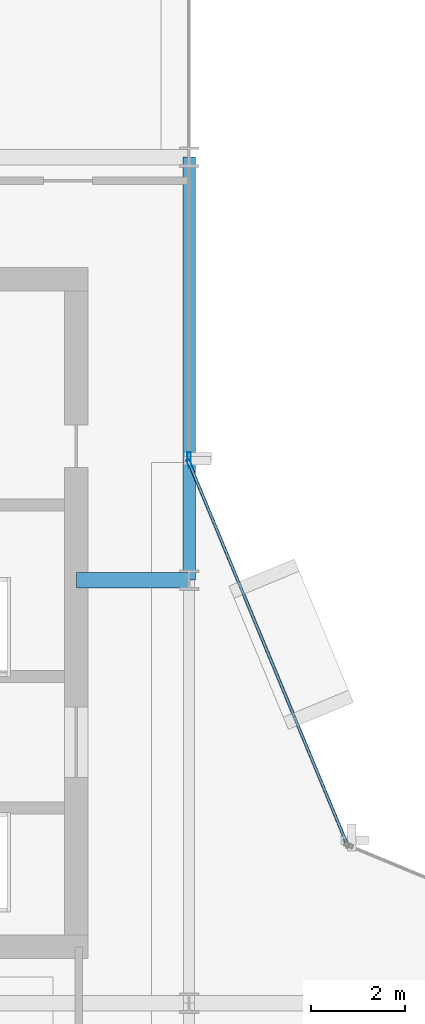
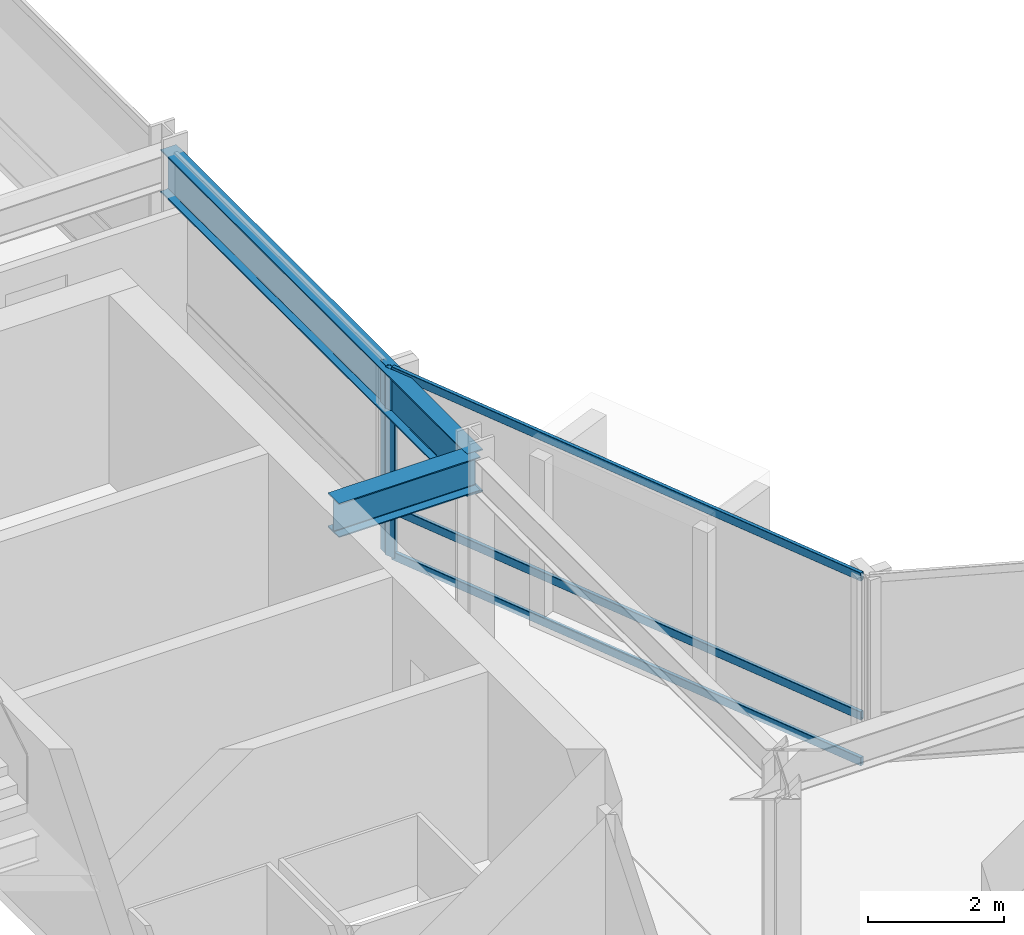
# One storey, part 17 of 29: 5 members, 2 beams, 2 elements without a shape of their own.
"""IFC4 building model written with IfcOpenShell, lengths in metres."""

from ifc_helpers import new_model, si_unit, direction, frame, origin, origin_2d, place, context, subcontext, project, spatial, hollow_rectangle, i_section, extrude, material, layer, layer_set, material_profile, profile_set, type_object, element, aggregate, save


model = new_model("IFC4")

# Units and contexts
model_context = context("Model", 3, precision=1e-05, world=origin(), true_north=direction((0.0, 1.0)))
body_context = subcontext(model_context, "Body", "Model", "MODEL_VIEW")
ifc_project = project(units=[si_unit("LENGTHUNIT", "METRE"), si_unit("AREAUNIT", "SQUARE_METRE"), si_unit("VOLUMEUNIT", "CUBIC_METRE"), si_unit("PLANEANGLEUNIT", "RADIAN"), si_unit("MASSUNIT", "GRAM", prefix="KILO")], contexts=[model_context])

# Site, building, storey
site_placement = place(None, origin())
site = spatial("IfcSite", under=ifc_project, at=site_placement, CompositionType="ELEMENT")
building_placement = place(site_placement, origin())
building = spatial("IfcBuilding", under=site, at=building_placement, Name="Solvaryn Broadcast Tower", CompositionType="ELEMENT")
storey_placement = place(building_placement, frame((0.0, 0.0, 165.5)))
storey = spatial("IfcBuildingStorey", under=building, at=storey_placement, Name="L41", CompositionType="ELEMENT", Elevation=165.5)

# Beams
ifc_material_1 = material(Name="Steel ASTM A992 Grade 50", Category="steel")
ifc_material_profile_1 = material_profile(ifc_material_1, i_section(OverallWidth=0.323974609375, OverallDepth=0.611083984375, WebThickness=0.0126953125, FlangeThickness=0.01904296875, FilletRadius=0.014892578125, at=origin_2d()))
ifc_profile_set_1 = profile_set([ifc_material_profile_1], Name="Steel ASTM A992 Grade 50")
beam_type_1 = type_object("IfcBeamType", Name="BM-B1-W24X104", PredefinedType="BEAM", material=ifc_profile_set_1)
beam_1_placement = place(storey_placement, frame((24.60009765625, 36.0, 3.064453125), z_axis=(1.0, 0.0, 0.0), x_axis=(0.0, 1.0, 0.0)))
element("IfcBeam", 1, at=beam_1_placement, inside=storey, type_object=beam_type_1, Name="L41 Core Tie Beam CTW2", PredefinedType="BEAM", context=body_context, shape_type="SweptSolid", body=[
    extrude(i_section(OverallWidth=0.323974609375, OverallDepth=0.611083984375, WebThickness=0.0126953125, FlangeThickness=0.01904296875, FilletRadius=0.014892578125, at=origin_2d()), origin(), (0.0, 0.0, 1.0), 2.39990234375),
])
ifc_material_2 = material(Name="Steel ASTM A992 Grade 50", Category="steel")
ifc_material_profile_2 = material_profile(ifc_material_2, i_section(OverallWidth=0.26708984375, OverallDepth=0.76611328125, WebThickness=0.014892578125, FlangeThickness=0.023681640625, FilletRadius=0.01806640625, at=origin_2d()))
ifc_profile_set_2 = profile_set([ifc_material_profile_2], Name="Steel ASTM A992 Grade 50")
beam_type_2 = type_object("IfcBeamType", Name="BM-SP2-W30X124", PredefinedType="USERDEFINED", material=ifc_profile_set_2)
beam_2_placement = place(storey_placement, frame((27.0, 36.0, 2.987060546875), z_axis=(0.0, 1.0, 0.0), x_axis=(-1.0, 0.0, 0.0)))
element("IfcBeam", 2, at=beam_2_placement, inside=storey, type_object=beam_type_2, Name="L41 Spandrel Beam Y (36-45 @ X=27)", ObjectType="SPANDREL", PredefinedType="USERDEFINED", context=body_context, shape_type="SweptSolid", body=[
    extrude(i_section(OverallWidth=0.26708984375, OverallDepth=0.76611328125, WebThickness=0.014892578125, FlangeThickness=0.023681640625, FilletRadius=0.01806640625, at=origin_2d()), origin(), (0.0, 0.0, 1.0), 9.0),
])

# Curtain wall, member
ifc_material_3 = material(Name="Aluminium and Terracotta Unitised Curtain Wall", Category="masonry")
ifc_layer = layer(ifc_material_3, 0.199951171875)
ifc_layer_set = layer_set([ifc_layer], Name="CW-SYS2-LOWMID")
curtain_wall_type = type_object("IfcCurtainWallType", Name="CW-SYS2-LOWMID", PredefinedType="NOTDEFINED", material=ifc_layer_set)
curtain_wall_1_placement = place(storey_placement, origin())
curtain_wall_1 = element("IfcCurtainWall", 3, at=curtain_wall_1_placement, inside=storey, type_object=curtain_wall_type, Name="L41 Curtain Wall IV", PredefinedType="NOTDEFINED")
ifc_material_4 = material(Name="Anodised Aluminium 6063-T6", Category="aluminium")
ifc_material_profile_3 = material_profile(ifc_material_4, hollow_rectangle(XDim=0.074951171875, YDim=0.179931640625, WallThickness=0.00390625, InnerFilletRadius=0.00390625, OuterFilletRadius=0.008056640625, at=origin_2d()))
ifc_profile_set_3 = profile_set([ifc_material_profile_3], Name="Anodised Aluminium 6063-T6")
member_type_1 = type_object("IfcMemberType", Name="CW-MUL-180", PredefinedType="MULLION", material=ifc_profile_set_3)
member_1_placement = place(storey_placement, frame((27.0, 38.6298828125, 0.0), z_axis=(0.0, 0.0, 1.0), x_axis=(1.0, 0.0, 0.0)))
member_1 = element("IfcMember", 4, at=member_1_placement, type_object=member_type_1, Name="CWS2 mullion 2", PredefinedType="MULLION", context=body_context, shape_type="SweptSolid", body=[
    extrude(hollow_rectangle(XDim=0.074951171875, YDim=0.179931640625, WallThickness=0.00390625, InnerFilletRadius=0.00390625, OuterFilletRadius=0.008056640625, at=origin_2d()), origin(), (0.0, 0.0, 1.0), 3.3701171875),
])
aggregate(curtain_wall_1, [member_1])

# Curtain wall, members
curtain_wall_2_placement = place(storey_placement, origin())
curtain_wall_2 = element("IfcCurtainWall", 5, at=curtain_wall_2_placement, inside=storey, type_object=curtain_wall_type, Name="L41 Curtain Wall CN2", PredefinedType="NOTDEFINED")
member_2_placement = place(storey_placement, frame((27.011474609375, 38.47216796875, 0.0), z_axis=(0.0, 0.0, 1.0), x_axis=(-0.923894983957, -0.382646127145, 0.0)))
member_2 = element("IfcMember", 6, at=member_2_placement, type_object=member_type_1, Name="CWS2 mullion 2", PredefinedType="MULLION", context=body_context, shape_type="SweptSolid", body=[
    extrude(hollow_rectangle(XDim=0.074951171875, YDim=0.179931640625, WallThickness=0.00390625, InnerFilletRadius=0.00390625, OuterFilletRadius=0.008056640625, at=origin_2d()), origin(), (0.0, 0.0, 1.0), 3.3701171875),
])
ifc_material_5 = material(Name="Anodised Aluminium 6063-T6", Category="aluminium")
ifc_material_profile_4 = material_profile(ifc_material_5, hollow_rectangle(XDim=0.06494140625, YDim=0.14990234375, WallThickness=0.00390625, InnerFilletRadius=0.00390625, OuterFilletRadius=0.008056640625, at=origin_2d()))
ifc_profile_set_4 = profile_set([ifc_material_profile_4], Name="Anodised Aluminium 6063-T6")
member_type_2 = type_object("IfcMemberType", Name="CW-TRN-150", PredefinedType="USERDEFINED", material=ifc_profile_set_4)
member_3_placement = place(storey_placement, frame((30.344970703125, 30.42333984375, 0.030029296875), z_axis=(-0.382635748975, 0.923899282177, 0.0), x_axis=(-0.923899282177, -0.382635748975, 0.0)))
member_3 = element("IfcMember", 7, at=member_3_placement, type_object=member_type_2, Name="CWS2 transom 1.1", ObjectType="TRANSOM", PredefinedType="USERDEFINED", context=body_context, shape_type="SweptSolid", body=[
    extrude(hollow_rectangle(XDim=0.06494140625, YDim=0.14990234375, WallThickness=0.00390625, InnerFilletRadius=0.00390625, OuterFilletRadius=0.008056640625, at=origin_2d()), origin(), (0.0, 0.0, 1.0), 8.681884765625),
])
member_4_placement = place(storey_placement, frame((30.344970703125, 30.42333984375, 0.85009765625), z_axis=(-0.382635748975, 0.923899282177, 0.0), x_axis=(-0.923899282177, -0.382635748975, 0.0)))
member_4 = element("IfcMember", 8, at=member_4_placement, type_object=member_type_2, Name="CWS2 transom 1.2", ObjectType="TRANSOM", PredefinedType="USERDEFINED", context=body_context, shape_type="SweptSolid", body=[
    extrude(hollow_rectangle(XDim=0.06494140625, YDim=0.14990234375, WallThickness=0.00390625, InnerFilletRadius=0.00390625, OuterFilletRadius=0.008056640625, at=origin_2d()), origin(), (0.0, 0.0, 1.0), 8.681884765625),
])
member_5_placement = place(storey_placement, frame((30.344970703125, 30.42333984375, 3.340087890625), z_axis=(-0.382635748975, 0.923899282177, 0.0), x_axis=(-0.923899282177, -0.382635748975, 0.0)))
member_5 = element("IfcMember", 9, at=member_5_placement, type_object=member_type_2, Name="CWS2 transom 1.3", ObjectType="TRANSOM", PredefinedType="USERDEFINED", context=body_context, shape_type="SweptSolid", body=[
    extrude(hollow_rectangle(XDim=0.06494140625, YDim=0.14990234375, WallThickness=0.00390625, InnerFilletRadius=0.00390625, OuterFilletRadius=0.008056640625, at=origin_2d()), origin(), (0.0, 0.0, 1.0), 8.681884765625),
])
aggregate(curtain_wall_2, [member_2, member_3, member_4, member_5])

save(model, "model.ifc")
